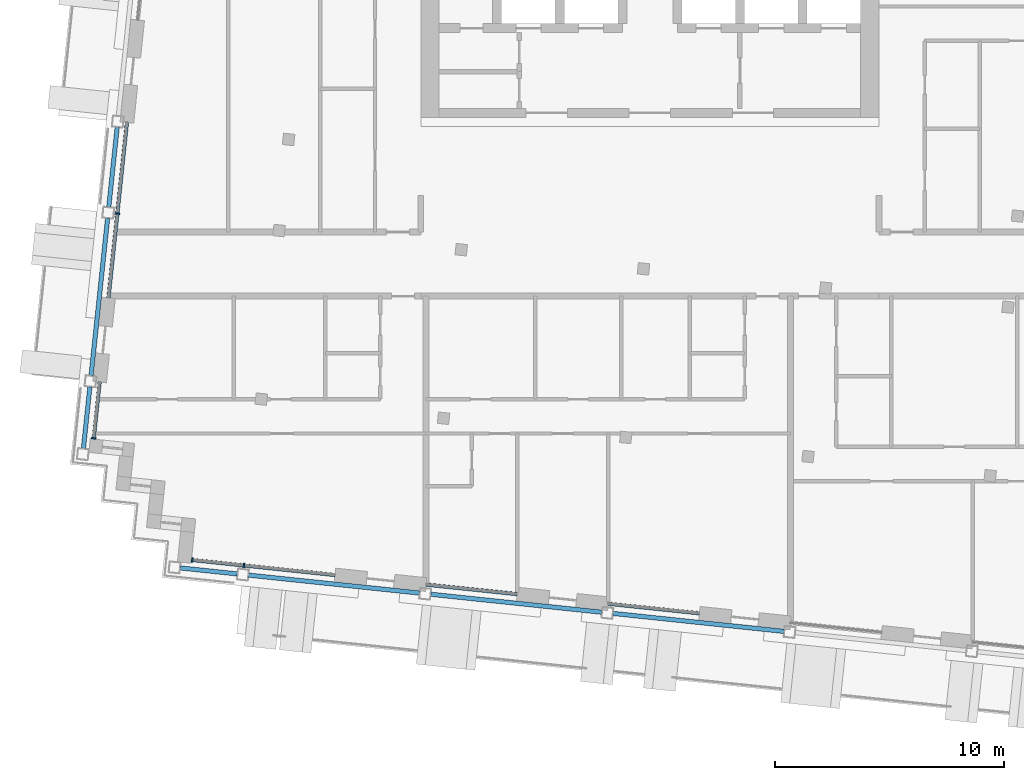
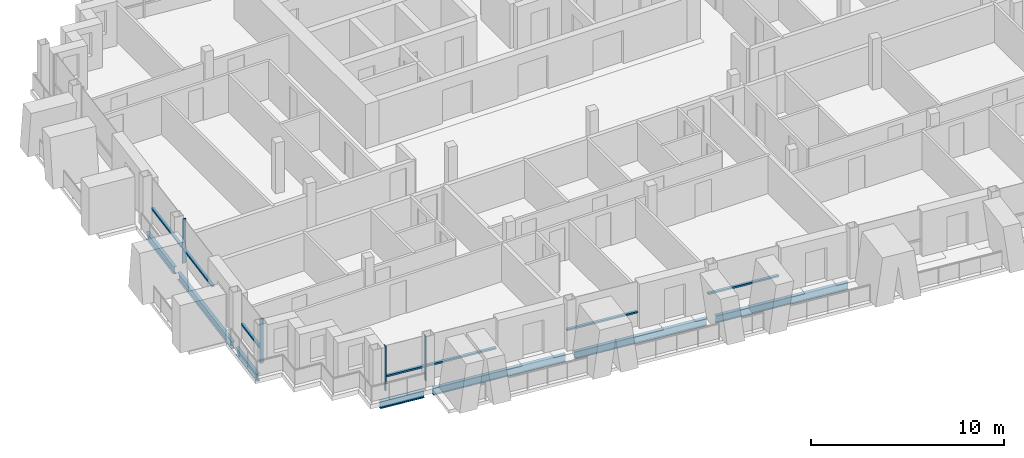
# One storey, part 2 of 16: 11 members, 7 beams, 5 elements without a shape of their own.
"""IFC4 building model written with IfcOpenShell, lengths in metres."""

import ifcopenshell
import ifcopenshell.guid

model = None  # the IFC model being written
_history = None  # IfcOwnerHistory: only IFC2X3 demands one
_inside = {}  # id of a spatial element -> (the spatial element, [elements in it])
_under = {}  # id of a project, library or spatial element -> (it, [spatial elements below it])
_declared = {}  # id of a project -> (the project, [libraries it declares])
_typed = {}  # id of a type object -> (the type object, [elements of that type])
_made_of = {}  # id of a material, layer set ... -> (it, [elements and type objects made of it])


def new_model(schema):
    """Start an empty IFC model of exactly this schema.

    Asked for "IFC4X3", IfcOpenShell would pick the latest addendum, in which some entities
    have other attributes; the version numbers below select the first issue.
    IFC2X3 requires an IfcOwnerHistory on every rooted entity: one is made here for all.
    """
    global model, _history
    if schema == "IFC4X3":
        model = ifcopenshell.file(schema_version=(4, 3, 0, 0))
    else:
        model = ifcopenshell.file(schema=schema)
    _inside.clear()
    _under.clear()
    _declared.clear()
    _typed.clear()
    _made_of.clear()
    _history = None
    if model.schema == "IFC2X3":
        org = make("IfcOrganization", Name="unknown")
        user = make(
            "IfcPersonAndOrganization",
            ThePerson=make("IfcPerson", FamilyName="unknown"),
            TheOrganization=org,
        )
        app = make(
            "IfcApplication",
            ApplicationDeveloper=org,
            Version="unknown",
            ApplicationFullName="unknown",
            ApplicationIdentifier="unknown",
        )
        _history = make(
            "IfcOwnerHistory",
            OwningUser=user,
            OwningApplication=app,
            ChangeAction="ADDED",
            CreationDate=0,
        )
    return model


def make(cls, **values):
    """One entity of the class cls with the attributes given. An attribute that is None is left unset."""
    return model.create_entity(
        cls, **{name: value for name, value in values.items() if value is not None}
    )


def rooted(cls, **values):
    """An entity with a GlobalId (a new one), such as an element, a storey or a relation."""
    return make(cls, GlobalId=ifcopenshell.guid.new(), OwnerHistory=_history, **values)


def si_unit(unit_type, name, prefix=None):
    """IfcSIUnit, for example si_unit("LENGTHUNIT", "METRE", prefix="MILLI")."""
    return make("IfcSIUnit", UnitType=unit_type, Prefix=prefix, Name=name)


def assignment(units):
    """IfcUnitAssignment: the units of a project."""
    return None if units is None else make("IfcUnitAssignment", Units=units)


def point(xyz):
    """IfcCartesianPoint."""
    return None if xyz is None else make("IfcCartesianPoint", Coordinates=xyz)


def direction(xyz):
    """IfcDirection."""
    return None if xyz is None else make("IfcDirection", DirectionRatios=xyz)


def frame(location, z_axis=None, x_axis=None):
    """IfcAxis2Placement3D, a coordinate frame: its origin and axes. An axis left out is left unset."""
    return make(
        "IfcAxis2Placement3D",
        Location=point(location),
        Axis=direction(z_axis),
        RefDirection=direction(x_axis),
    )


def frame_2d(location, x_axis=None):
    """IfcAxis2Placement2D, a coordinate frame in the plane: its origin and x axis."""
    return make(
        "IfcAxis2Placement2D", Location=point(location), RefDirection=direction(x_axis)
    )


def origin():
    """The frame at (0, 0, 0) with its axes left unset."""
    return frame((0.0, 0.0, 0.0))


def origin_2d():
    """The frame at (0, 0) in the plane with its x axis left unset."""
    return frame_2d((0.0, 0.0))


def place(relative_to, where):
    """IfcLocalPlacement: puts the frame where relative to a parent placement (None: the world)."""
    return make(
        "IfcLocalPlacement", PlacementRelTo=relative_to, RelativePlacement=where
    )


def context(
    kind, dimensions, precision=None, world=None, true_north=None, identifier=None
):
    """IfcGeometricRepresentationContext, for example the 3D "Model" context."""
    return make(
        "IfcGeometricRepresentationContext",
        ContextIdentifier=identifier,
        ContextType=kind,
        CoordinateSpaceDimension=dimensions,
        Precision=precision,
        WorldCoordinateSystem=world,
        TrueNorth=true_north,
    )


def subcontext(parent, identifier, kind, view, scale=None):
    """IfcGeometricRepresentationSubContext, for example "Body" below "Model"."""
    return make(
        "IfcGeometricRepresentationSubContext",
        ContextIdentifier=identifier,
        ContextType=kind,
        ParentContext=parent,
        TargetScale=scale,
        TargetView=view,
    )


def project(units=None, contexts=None):
    """IfcProject with its units and contexts."""
    return rooted(
        "IfcProject",
        Name="project",
        RepresentationContexts=contexts,
        UnitsInContext=assignment(units),
    )


def spatial(cls, under=None, at=None, **own):
    """A site, building, storey or space (cls), placed at a placement, below another one or the project."""
    s = rooted(cls, ObjectPlacement=at, **own)
    if under is not None:
        _under.setdefault(under.id(), (under, []))[1].append(s)
    return s


def profile(cls, at=None, kind="AREA", **sizes):
    """A parametric profile (cls). Its sizes go by their IFC names, for example OverallWidth=200.0."""
    return make(cls, ProfileType=kind, Position=at, **sizes)


def rectangle(**sizes):
    """IfcRectangleProfileDef."""
    return profile("IfcRectangleProfileDef", **sizes)


def i_section(**sizes):
    """IfcIShapeProfileDef."""
    return profile("IfcIShapeProfileDef", **sizes)


def extrude(swept, where, along, depth):
    """IfcExtrudedAreaSolid: the profile swept, set in the frame where, extruded along a direction by depth."""
    return make(
        "IfcExtrudedAreaSolid",
        SweptArea=swept,
        Position=where,
        ExtrudedDirection=direction(along),
        Depth=depth,
    )


def shape(context_of_items, identifier, shape_type, items):
    """IfcShapeRepresentation: the items that make up one representation, for example the "Body"."""
    return make(
        "IfcShapeRepresentation",
        ContextOfItems=context_of_items,
        RepresentationIdentifier=identifier,
        RepresentationType=shape_type,
        Items=items,
    )


def material(Name=None, Category=None):
    """IfcMaterial."""
    return make("IfcMaterial", Name=Name, Category=Category)


def material_profile(
    of_material, cross_section, Name=None, Category=None, Priority=None
):
    """IfcMaterialProfile: a cross section and its material."""
    return make(
        "IfcMaterialProfile",
        Name=Name,
        Material=of_material,
        Profile=cross_section,
        Priority=Priority,
        Category=Category,
    )


def profile_set(profiles, Name=None, composite=None):
    """IfcMaterialProfileSet."""
    return make(
        "IfcMaterialProfileSet",
        Name=Name,
        MaterialProfiles=profiles,
        CompositeProfile=composite,
    )


def made_of(thing, what):
    """Note that an element or type object is made of a material, layer set ...; save() writes the relation."""
    if what is not None:
        _made_of.setdefault(what.id(), (what, []))[1].append(thing)
    return thing


def type_object(cls, material=None, **own):
    """A type object (cls), such as IfcWallType, which elements share."""
    return made_of(rooted(cls, **own), material)


def element(
    cls,
    number,
    at=None,
    inside=None,
    cuts=None,
    type_object=None,
    material=None,
    context=None,
    identifier="Body",
    shape_type=None,
    held_by="IfcProductDefinitionShape",
    body=None,
    shapes=None,
    **own,
):
    """One element of the class cls, such as IfcWall. Its Tag is "e" and its number.

    at: its placement. inside: the storey or other place that contains it. cuts: it is an
    opening in that element (IfcRelVoidsElement). A single representation is given by context,
    identifier, shape_type and body (its items); several are given by shapes. held_by: the class
    of the entity that holds the representations. save() writes the other relations.
    """
    e = rooted(cls, Tag="e%d" % number, ObjectPlacement=at, **own)
    if body is not None:
        shapes = [shape(context, identifier, shape_type, body)]
    if shapes is not None:
        e.Representation = make(held_by, Representations=shapes)
    if inside is not None:
        _inside.setdefault(inside.id(), (inside, []))[1].append(e)
    if cuts is not None:
        rooted(
            "IfcRelVoidsElement", RelatingBuildingElement=cuts, RelatedOpeningElement=e
        )
    if type_object is not None:
        _typed.setdefault(type_object.id(), (type_object, []))[1].append(e)
    return made_of(e, material)


def aggregate(whole, parts):
    """IfcRelAggregates: a whole, such as a stair, and the parts it consists of."""
    return rooted("IfcRelAggregates", RelatingObject=whole, RelatedObjects=parts)


def save(model, path):
    """Write the relations noted so far, then the file.

    IfcRelAggregates (storeys below a building ...), IfcRelContainedInSpatialStructure (elements
    in a storey), IfcRelDefinesByType, IfcRelAssociatesMaterial and IfcRelDeclares: one each for
    every whole, place, type object, material and project.
    """
    for whole, parts in _under.values():
        aggregate(whole, parts)
    for where, things in _inside.values():
        rooted(
            "IfcRelContainedInSpatialStructure",
            RelatedElements=things,
            RelatingStructure=where,
        )
    for kind, things in _typed.values():
        rooted("IfcRelDefinesByType", RelatedObjects=things, RelatingType=kind)
    for what, things in _made_of.values():
        rooted("IfcRelAssociatesMaterial", RelatedObjects=things, RelatingMaterial=what)
    for by, libraries in _declared.values():
        rooted("IfcRelDeclares", RelatingContext=by, RelatedDefinitions=libraries)
    model.write(path)


model = new_model("IFC4")

# Units and contexts
model_context = context("Model", 3, precision=1e-05, world=origin(), true_north=direction((0.0, 1.0)))
body_context = subcontext(model_context, "Body", "Model", "MODEL_VIEW")
ifc_project = project(units=[si_unit("LENGTHUNIT", "METRE"), si_unit("AREAUNIT", "SQUARE_METRE"), si_unit("VOLUMEUNIT", "CUBIC_METRE"), si_unit("PLANEANGLEUNIT", "RADIAN"), si_unit("MASSUNIT", "GRAM", prefix="KILO")], contexts=[model_context])

# Site, building, storey
site_placement = place(None, origin())
site = spatial("IfcSite", under=ifc_project, at=site_placement, CompositionType="ELEMENT")
building_placement = place(site_placement, origin())
building = spatial("IfcBuilding", under=site, at=building_placement, Name="Vidyagriha Tower", CompositionType="ELEMENT")
storey_placement = place(building_placement, frame((0.0, 0.0, 278.699951171875)))
storey = spatial("IfcBuildingStorey", under=building, at=storey_placement, Name="L73", CompositionType="ELEMENT", Elevation=278.699951171875)

# Beams
ifc_material_1 = material(Name="Steel ASTM A992 Grade 50", Category="steel")
ifc_material_profile_1 = material_profile(ifc_material_1, i_section(OverallWidth=0.19189453125, OverallDepth=0.46240234375, WebThickness=0.010498046875, FlangeThickness=0.017578125, at=origin_2d()), Name="W18X60")
ifc_profile_set_1 = profile_set([ifc_material_profile_1], Name="Steel ASTM A992 Grade 50")
beam_type = type_object("IfcBeamType", Name="Edge beam W18X60", PredefinedType="SPANDREL", material=ifc_profile_set_1)
beam_1_placement = place(storey_placement, frame((-20.50341796875, -13.268798828125, -0.510986328125), z_axis=(0.994525767953, -0.104491611519, 0.0), x_axis=(0.104491611519, 0.994525767953, 0.0)))
element("IfcBeam", 1, at=beam_1_placement, inside=storey, type_object=beam_type, Name="st-beam-L73-S01", PredefinedType="SPANDREL", context=body_context, shape_type="SweptSolid", body=[
    extrude(i_section(OverallWidth=0.19189453125, OverallDepth=0.46240234375, WebThickness=0.010498046875, FlangeThickness=0.017578125, at=origin_2d()), origin(), (0.0, 0.0, 1.0), 2.5),
])
for number, where, z_axis, x_axis, name in (
    (2, (-17.519775390625, -13.582275390625, -0.510986328125), (0.994522384662, -0.104523807841, 0.0), (0.104523807841, 0.994522384662, 0.0), "st-beam-L73-S02"),
    (3, (-9.563720703125, -14.418701171875, -0.510986328125), (0.994525767953, -0.104491611519, 0.0), (0.104491611519, 0.994525767953, 0.0), "st-beam-L73-S03"),
    (4, (-1.607421875, -15.2548828125, -0.510986328125), (0.994522384662, -0.104523807841, 0.0), (0.104523807841, 0.994522384662, 0.0), "st-beam-L73-S04"),
):
    element("IfcBeam", number, at=place(storey_placement, frame(where, z_axis=z_axis, x_axis=x_axis)), inside=storey, type_object=beam_type, Name=name, PredefinedType="SPANDREL", context=body_context, shape_type="SweptSolid", body=[
        extrude(i_section(OverallWidth=0.19189453125, OverallDepth=0.46240234375, WebThickness=0.010498046875, FlangeThickness=0.017578125, at=origin_2d()), origin(), (0.0, 0.0, 1.0), 7.5),
    ])
beam_2_placement = place(storey_placement, frame((-24.730712890625, -8.04833984375, -0.510986328125), z_axis=(0.104524753323, 0.994522285292, 0.0), x_axis=(-0.994522285292, 0.104524753323, 0.0)))
element("IfcBeam", 5, at=beam_2_placement, inside=storey, type_object=beam_type, Name="st-beam-L73-W08", PredefinedType="SPANDREL", context=body_context, shape_type="SweptSolid", body=[
    extrude(i_section(OverallWidth=0.19189453125, OverallDepth=0.46240234375, WebThickness=0.010498046875, FlangeThickness=0.017578125, at=origin_2d()), origin(), (0.0, 0.0, 1.0), 2.7001953125),
])
beam_3_placement = place(storey_placement, frame((-24.396484375, -4.86572265625, -0.510986328125), z_axis=(0.104557694553, 0.994518822602, 0.0), x_axis=(-0.994518822602, 0.104557694553, 0.0)))
element("IfcBeam", 6, at=beam_3_placement, inside=storey, type_object=beam_type, Name="st-beam-L73-W09", PredefinedType="SPANDREL", context=body_context, shape_type="SweptSolid", body=[
    extrude(i_section(OverallWidth=0.19189453125, OverallDepth=0.46240234375, WebThickness=0.010498046875, FlangeThickness=0.017578125, at=origin_2d()), origin(), (0.0, 0.0, 1.0), 6.89990234375),
])
beam_4_placement = place(storey_placement, frame((-23.622802734375, 2.49365234375, -0.510986328125), z_axis=(0.104488712073, 0.994526072584, 0.0), x_axis=(-0.994526072584, 0.104488712073, 0.0)))
element("IfcBeam", 7, at=beam_4_placement, inside=storey, type_object=beam_type, Name="st-beam-L73-W10", PredefinedType="SPANDREL", context=body_context, shape_type="SweptSolid", body=[
    extrude(i_section(OverallWidth=0.19189453125, OverallDepth=0.46240234375, WebThickness=0.010498046875, FlangeThickness=0.017578125, at=origin_2d()), origin(), (0.0, 0.0, 1.0), 3.5),
])

# Curtain wall, member
ifc_material_2 = material(Name="Aluminium and glass curtain wall", Category="aluminium")
curtain_wall_type = type_object("IfcCurtainWallType", Name="Dwelling skin unitised curtain wall", PredefinedType="USERDEFINED", material=ifc_material_2)
curtain_wall_1_placement = place(storey_placement, origin())
curtain_wall_1 = element("IfcCurtainWall", 8, at=curtain_wall_1_placement, inside=storey, type_object=curtain_wall_type, Name="CW1 dwelling skin", ObjectType="UNITISED", PredefinedType="USERDEFINED")
ifc_material_3 = material(Name="Aluminium black anodised", Category="aluminium")
ifc_material_profile_2 = material_profile(ifc_material_3, rectangle(XDim=0.199951171875, YDim=0.070068359375, at=origin_2d()), Name="Mullion 70x200 black aluminium")
ifc_profile_set_2 = profile_set([ifc_material_profile_2], Name="Aluminium black anodised")
member_type_1 = type_object("IfcMemberType", Name="Mullion 70x200 black aluminium", PredefinedType="MULLION", material=ifc_profile_set_2)
member_1_placement = place(storey_placement, frame((-23.251220703125, 2.203369140625, 0.0), z_axis=(0.0, 0.0, 1.0), x_axis=(0.994521452706, -0.10453267483, 0.0)))
member_1 = element("IfcMember", 9, at=member_1_placement, type_object=member_type_1, Name="CW1 mullion 2", PredefinedType="MULLION", context=body_context, shape_type="SweptSolid", body=[
    extrude(rectangle(XDim=0.199951171875, YDim=0.070068359375, at=origin_2d()), origin(), (0.0, 0.0, 1.0), 2.800048828125),
])

curtain_wall_2_placement = place(storey_placement, origin())
curtain_wall_2 = element("IfcCurtainWall", 10, at=curtain_wall_2_placement, inside=storey, type_object=curtain_wall_type, Name="CW1 dwelling skin", ObjectType="UNITISED", PredefinedType="USERDEFINED")
member_2_placement = place(storey_placement, frame((-24.2822265625, -7.60791015625, 0.0), z_axis=(0.0, 0.0, 1.0), x_axis=(0.994523191389, -0.10451613172, 0.0)))
member_2 = element("IfcMember", 11, at=member_2_placement, type_object=member_type_1, Name="CW1 mullion 2", PredefinedType="MULLION", context=body_context, shape_type="SweptSolid", body=[
    extrude(rectangle(XDim=0.199951171875, YDim=0.070068359375, at=origin_2d()), origin(), (0.0, 0.0, 1.0), 2.800048828125),
])

# Curtain wall, members
curtain_wall_3_placement = place(storey_placement, origin())
curtain_wall_3 = element("IfcCurtainWall", 12, at=curtain_wall_3_placement, inside=storey, type_object=curtain_wall_type, Name="CW1 dwelling skin", ObjectType="UNITISED", PredefinedType="USERDEFINED")
member_3_placement = place(storey_placement, frame((-19.979248046875, -12.921630859375, 0.0), z_axis=(0.0, 0.0, 1.0), x_axis=(0.104523661385, 0.994522400055, 0.0)))
member_3 = element("IfcMember", 13, at=member_3_placement, type_object=member_type_1, Name="CW1 mullion 1", PredefinedType="MULLION", context=body_context, shape_type="SweptSolid", body=[
    extrude(rectangle(XDim=0.199951171875, YDim=0.070068359375, at=origin_2d()), origin(), (0.0, 0.0, 1.0), 2.800048828125),
])
member_4_placement = place(storey_placement, frame((-17.7265625, -13.158447265625, 0.0), z_axis=(0.0, 0.0, 1.0), x_axis=(0.104523661385, 0.994522400055, 0.0)))
member_4 = element("IfcMember", 14, at=member_4_placement, type_object=member_type_1, Name="CW1 mullion 2", PredefinedType="MULLION", context=body_context, shape_type="SweptSolid", body=[
    extrude(rectangle(XDim=0.199951171875, YDim=0.070068359375, at=origin_2d()), origin(), (0.0, 0.0, 1.0), 2.800048828125),
])

# Member
ifc_material_4 = material(Name="Aluminium black anodised", Category="aluminium")
ifc_material_profile_3 = material_profile(ifc_material_4, rectangle(XDim=0.159912109375, YDim=0.10009765625, at=origin_2d()), Name="Transom 100x160 black aluminium")
ifc_profile_set_3 = profile_set([ifc_material_profile_3], Name="Aluminium black anodised")
member_type_2 = type_object("IfcMemberType", Name="Transom 100x160 black aluminium", PredefinedType="USERDEFINED", material=ifc_profile_set_3)
member_5_placement = place(storey_placement, frame((-22.8330078125, 6.181396484375, 0.900146484375), z_axis=(-0.104550167438, -0.994519613929, 0.0), x_axis=(0.994519613929, -0.104550167438, 0.0)))
member_5 = element("IfcMember", 15, at=member_5_placement, type_object=member_type_2, Name="CW1 transom 1.1", ObjectType="TRANSOM", PredefinedType="USERDEFINED", context=body_context, shape_type="SweptSolid", body=[
    extrude(rectangle(XDim=0.159912109375, YDim=0.10009765625, at=origin_2d()), origin(), (0.0, 0.0, 1.0), 3.965087890625),
])

member_6_placement = place(storey_placement, frame((-23.2548828125, 2.16845703125, 0.900146484375), z_axis=(-0.104521800028, -0.99452259568, 0.0), x_axis=(0.99452259568, -0.104521800028, 0.0)))
member_6 = element("IfcMember", 16, at=member_6_placement, type_object=member_type_2, Name="CW1 transom 2.1", ObjectType="TRANSOM", PredefinedType="USERDEFINED", context=body_context, shape_type="SweptSolid", body=[
    extrude(rectangle(XDim=0.159912109375, YDim=0.10009765625, at=origin_2d()), origin(), (0.0, 0.0, 1.0), 3.664794921875),
])

aggregate(curtain_wall_1, [member_1, member_5, member_6])

member_7_placement = place(storey_placement, frame((-24.024658203125, -5.15625, 0.900146484375), z_axis=(-0.104486049741, -0.994526352295, 0.0), x_axis=(0.994526352295, -0.104486049741, 0.0)))
member_7 = element("IfcMember", 17, at=member_7_placement, type_object=member_type_2, Name="CW1 transom 1.1", ObjectType="TRANSOM", PredefinedType="USERDEFINED", context=body_context, shape_type="SweptSolid", body=[
    extrude(rectangle(XDim=0.159912109375, YDim=0.10009765625, at=origin_2d()), origin(), (0.0, 0.0, 1.0), 2.429931640625),
])

aggregate(curtain_wall_2, [member_2, member_7])

member_8_placement = place(storey_placement, frame((-19.9443359375, -12.92529296875, 0.900146484375), z_axis=(0.994518853465, -0.104557400991, 0.0), x_axis=(0.104557400991, 0.994518853465, 0.0)))
member_8 = element("IfcMember", 18, at=member_8_placement, type_object=member_type_2, Name="CW1 transom 1.1", ObjectType="TRANSOM", PredefinedType="USERDEFINED", context=body_context, shape_type="SweptSolid", body=[
    extrude(rectangle(XDim=0.159912109375, YDim=0.10009765625, at=origin_2d()), origin(), (0.0, 0.0, 1.0), 2.19482421875),
])

member_9_placement = place(storey_placement, frame((-17.69189453125, -13.162109375, 0.900146484375), z_axis=(0.994526014245, -0.104489267346, 0.0), x_axis=(0.104489267346, 0.994526014245, 0.0)))
member_9 = element("IfcMember", 19, at=member_9_placement, type_object=member_type_2, Name="CW1 transom 2.1", ObjectType="TRANSOM", PredefinedType="USERDEFINED", context=body_context, shape_type="SweptSolid", body=[
    extrude(rectangle(XDim=0.159912109375, YDim=0.10009765625, at=origin_2d()), origin(), (0.0, 0.0, 1.0), 3.965087890625),
])

aggregate(curtain_wall_3, [member_3, member_4, member_8, member_9])

# Curtain wall, member
curtain_wall_4_placement = place(storey_placement, origin())
curtain_wall_4 = element("IfcCurtainWall", 20, at=curtain_wall_4_placement, inside=storey, type_object=curtain_wall_type, Name="CW1 dwelling skin", ObjectType="UNITISED", PredefinedType="USERDEFINED")
member_10_placement = place(storey_placement, frame((-9.7705078125, -13.99462890625, 0.900146484375), z_axis=(0.99451982373, -0.104548171712, 0.0), x_axis=(0.104548171712, 0.99451982373, 0.0)))
member_10 = element("IfcMember", 21, at=member_10_placement, type_object=member_type_2, Name="CW1 transom 1.1", ObjectType="TRANSOM", PredefinedType="USERDEFINED", context=body_context, shape_type="SweptSolid", body=[
    extrude(rectangle(XDim=0.159912109375, YDim=0.10009765625, at=origin_2d()), origin(), (0.0, 0.0, 1.0), 4.000244140625),
])
aggregate(curtain_wall_4, [member_10])

curtain_wall_5_placement = place(storey_placement, origin())
curtain_wall_5 = element("IfcCurtainWall", 22, at=curtain_wall_5_placement, inside=storey, type_object=curtain_wall_type, Name="CW1 dwelling skin", ObjectType="UNITISED", PredefinedType="USERDEFINED")
member_11_placement = place(storey_placement, frame((-1.814208984375, -14.830810546875, 0.900146484375), z_axis=(0.994519156568, -0.104554517933, 0.0), x_axis=(0.104554517933, 0.994519156568, 0.0)))
member_11 = element("IfcMember", 23, at=member_11_placement, type_object=member_type_2, Name="CW1 transom 1.1", ObjectType="TRANSOM", PredefinedType="USERDEFINED", context=body_context, shape_type="SweptSolid", body=[
    extrude(rectangle(XDim=0.159912109375, YDim=0.10009765625, at=origin_2d()), origin(), (0.0, 0.0, 1.0), 4.0),
])
aggregate(curtain_wall_5, [member_11])

save(model, "model.ifc")
